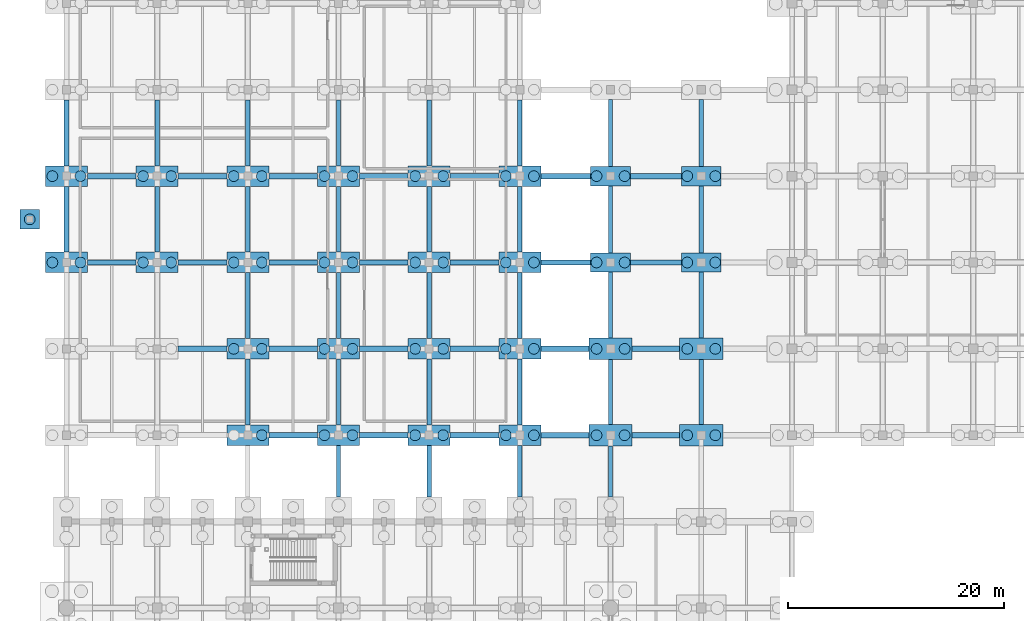
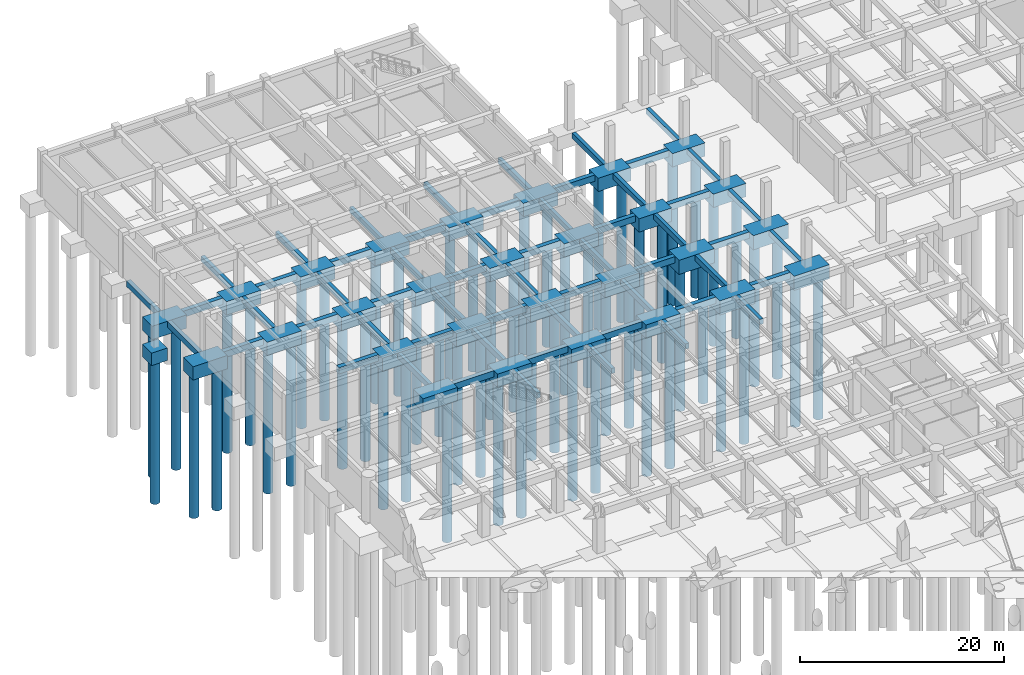
# One storey, part 6 of 56: 86 footings, 56 piles.
"""IFC4 building model written with IfcOpenShell, lengths in metres."""

from ifc_helpers import new_model, si_unit, direction, frame, origin, origin_2d, place, context, subcontext, project, spatial, rectangle, circle, extrude, material, material_profile, profile_set, type_object, element, save


model = new_model("IFC4")

# Units and contexts
model_context = context("Model", 3, precision=1e-05, world=origin(), true_north=direction((0.0, 1.0)))
body_context = subcontext(model_context, "Body", "Model", "MODEL_VIEW")
ifc_project = project(units=[si_unit("LENGTHUNIT", "METRE"), si_unit("AREAUNIT", "SQUARE_METRE"), si_unit("VOLUMEUNIT", "CUBIC_METRE"), si_unit("PLANEANGLEUNIT", "RADIAN"), si_unit("MASSUNIT", "GRAM", prefix="KILO")], contexts=[model_context])

# Site, building, storey
site_placement = place(None, origin())
site = spatial("IfcSite", under=ifc_project, at=site_placement, CompositionType="ELEMENT")
building_placement = place(site_placement, origin())
building = spatial("IfcBuilding", under=site, at=building_placement, Name="Naruveol Harbour Congress Hotel", CompositionType="ELEMENT")
storey_placement = place(building_placement, frame((0.0, 0.0, -5.39990234375)))
storey = spatial("IfcBuildingStorey", under=building, at=storey_placement, Name="B01", CompositionType="ELEMENT", Elevation=-5.39990234375)

# Piles
ifc_material_1 = material(Name="Concrete C40/50", Category="concrete")
ifc_material_profile_1 = material_profile(ifc_material_1, circle(Radius=0.5, at=origin_2d()), Name="BP-1000")
ifc_profile_set_1 = profile_set([ifc_material_profile_1], Name="Concrete C40/50")
pile_type = type_object("IfcPileType", Name="BORED ROCK SOCKETED PILE D1000", PredefinedType="BORED", material=ifc_profile_set_1)
pile_placement = place(storey_placement, frame((-3.39990234375, 84.0, -1.35009765625), z_axis=(0.0, 0.0, -1.0), x_axis=(1.0, 0.0, 0.0)))
element("IfcPile", 1, at=pile_placement, inside=storey, type_object=pile_type, Name="Bored pile BP-1000 #1 under FTG-CAP--034-0840", PredefinedType="BORED", context=body_context, shape_type="SweptSolid", body=[
    extrude(circle(Radius=0.5, at=origin_2d()), origin(), (0.0, 0.0, 1.0), 17.25),
])
for number, where, z_axis, x_axis, name in (
    (2, (-1.300048828125, 80.0, -1.4501953125), (0.0, 0.0, -1.0), (1.0, 0.0, 0.0), "Bored pile BP-1000 #1 under FTG-CAP-0000-0800"),
    (3, (1.300048828125, 80.0, -1.4501953125), (0.0, 0.0, -1.0), (1.0, 0.0, 0.0), "Bored pile BP-1000 #2 under FTG-CAP-0000-0800"),
    (4, (-1.300048828125, 88.0, -1.4501953125), (0.0, 0.0, -1.0), (1.0, 0.0, 0.0), "Bored pile BP-1000 #1 under FTG-CAP-0000-0880"),
    (5, (1.300048828125, 88.0, -1.4501953125), (0.0, 0.0, -1.0), (1.0, 0.0, 0.0), "Bored pile BP-1000 #2 under FTG-CAP-0000-0880"),
    (6, (7.10009765625, 80.0, -1.4501953125), (0.0, 0.0, -1.0), (1.0, 0.0, 0.0), "Bored pile BP-1000 #1 under FTG-CAP-0084-0800"),
    (7, (9.699951171875, 80.0, -1.4501953125), (0.0, 0.0, -1.0), (1.0, 0.0, 0.0), "Bored pile BP-1000 #2 under FTG-CAP-0084-0800"),
    (8, (7.10009765625, 88.0, -1.4501953125), (0.0, 0.0, -1.0), (1.0, 0.0, 0.0), "Bored pile BP-1000 #1 under FTG-CAP-0084-0880"),
    (9, (9.699951171875, 88.0, -1.4501953125), (0.0, 0.0, -1.0), (1.0, 0.0, 0.0), "Bored pile BP-1000 #2 under FTG-CAP-0084-0880"),
    (10, (18.10009765625, 64.0, -1.4501953125), (0.0, 0.0, -1.0), (1.0, 0.0, 0.0), "Bored pile BP-1000 #2 under FTG-CAP-0168-0640"),
    (11, (15.5, 72.0, -1.4501953125), (0.0, 0.0, -1.0), (1.0, 0.0, 0.0), "Bored pile BP-1000 #1 under FTG-CAP-0168-0720"),
    (12, (18.10009765625, 72.0, -1.4501953125), (0.0, 0.0, -1.0), (1.0, 0.0, 0.0), "Bored pile BP-1000 #2 under FTG-CAP-0168-0720"),
    (13, (15.5, 80.0, -1.4501953125), (0.0, 0.0, -1.0), (1.0, 0.0, 0.0), "Bored pile BP-1000 #1 under FTG-CAP-0168-0800"),
    (14, (18.10009765625, 80.0, -1.4501953125), (0.0, 0.0, -1.0), (1.0, 0.0, 0.0), "Bored pile BP-1000 #2 under FTG-CAP-0168-0800"),
    (15, (15.5, 88.0, -1.4501953125), (0.0, 0.0, -1.0), (1.0, 0.0, 0.0), "Bored pile BP-1000 #1 under FTG-CAP-0168-0880"),
    (16, (18.10009765625, 88.0, -1.4501953125), (0.0, 0.0, -1.0), (1.0, 0.0, 0.0), "Bored pile BP-1000 #2 under FTG-CAP-0168-0880"),
    (17, (23.89990234375, 64.0, -1.4501953125), (0.0, 0.0, -1.0), (1.0, 0.0, 0.0), "Bored pile BP-1000 #1 under FTG-CAP-0252-0640"),
    (18, (26.5, 64.0, -1.4501953125), (0.0, 0.0, -1.0), (1.0, 0.0, 0.0), "Bored pile BP-1000 #2 under FTG-CAP-0252-0640"),
    (19, (23.89990234375, 72.0, -1.4501953125), (0.0, 0.0, -1.0), (1.0, 0.0, 0.0), "Bored pile BP-1000 #1 under FTG-CAP-0252-0720"),
    (20, (26.5, 72.0, -1.4501953125), (0.0, 0.0, -1.0), (1.0, 0.0, 0.0), "Bored pile BP-1000 #2 under FTG-CAP-0252-0720"),
    (21, (23.89990234375, 80.0, -1.4501953125), (0.0, 0.0, -1.0), (1.0, 0.0, 0.0), "Bored pile BP-1000 #1 under FTG-CAP-0252-0800"),
    (22, (26.5, 80.0, -1.4501953125), (0.0, 0.0, -1.0), (1.0, 0.0, 0.0), "Bored pile BP-1000 #2 under FTG-CAP-0252-0800"),
    (23, (23.89990234375, 88.0, -1.4501953125), (0.0, 0.0, -1.0), (1.0, 0.0, 0.0), "Bored pile BP-1000 #1 under FTG-CAP-0252-0880"),
    (24, (26.5, 88.0, -1.4501953125), (0.0, 0.0, -1.0), (1.0, 0.0, 0.0), "Bored pile BP-1000 #2 under FTG-CAP-0252-0880"),
    (25, (32.300048828125, 64.0, -1.4501953125), (0.0, 0.0, -1.0), (1.0, 0.0, 0.0), "Bored pile BP-1000 #1 under FTG-CAP-0336-0640"),
    (26, (34.89990234375, 64.0, -1.4501953125), (0.0, 0.0, -1.0), (1.0, 0.0, 0.0), "Bored pile BP-1000 #2 under FTG-CAP-0336-0640"),
    (27, (32.300048828125, 72.0, -1.4501953125), (0.0, 0.0, -1.0), (1.0, 0.0, 0.0), "Bored pile BP-1000 #1 under FTG-CAP-0336-0720"),
    (28, (34.89990234375, 72.0, -1.4501953125), (0.0, 0.0, -1.0), (1.0, 0.0, 0.0), "Bored pile BP-1000 #2 under FTG-CAP-0336-0720"),
    (29, (32.300048828125, 80.0, -1.4501953125), (0.0, 0.0, -1.0), (1.0, 0.0, 0.0), "Bored pile BP-1000 #1 under FTG-CAP-0336-0800"),
    (30, (34.89990234375, 80.0, -1.4501953125), (0.0, 0.0, -1.0), (1.0, 0.0, 0.0), "Bored pile BP-1000 #2 under FTG-CAP-0336-0800"),
    (31, (32.300048828125, 88.0, -1.4501953125), (0.0, 0.0, -1.0), (1.0, 0.0, 0.0), "Bored pile BP-1000 #1 under FTG-CAP-0336-0880"),
    (32, (34.89990234375, 88.0, -1.4501953125), (0.0, 0.0, -1.0), (1.0, 0.0, 0.0), "Bored pile BP-1000 #2 under FTG-CAP-0336-0880"),
    (33, (40.699951171875, 64.0, -1.4501953125), (0.0, 0.0, -1.0), (1.0, 0.0, 0.0), "Bored pile BP-1000 #1 under FTG-CAP-0420-0640"),
    (34, (43.300048828125, 64.0, -1.4501953125), (0.0, 0.0, -1.0), (1.0, 0.0, 0.0), "Bored pile BP-1000 #2 under FTG-CAP-0420-0640"),
    (35, (40.699951171875, 72.0, -1.4501953125), (0.0, 0.0, -1.0), (1.0, 0.0, 0.0), "Bored pile BP-1000 #1 under FTG-CAP-0420-0720"),
    (36, (43.300048828125, 72.0, -1.4501953125), (0.0, 0.0, -1.0), (1.0, 0.0, 0.0), "Bored pile BP-1000 #2 under FTG-CAP-0420-0720"),
    (37, (40.699951171875, 80.0, -1.4501953125), (0.0, 0.0, -1.0), (1.0, 0.0, 0.0), "Bored pile BP-1000 #1 under FTG-CAP-0420-0800"),
    (38, (43.300048828125, 80.0, -1.4501953125), (0.0, 0.0, -1.0), (1.0, 0.0, 0.0), "Bored pile BP-1000 #2 under FTG-CAP-0420-0800"),
    (39, (40.699951171875, 88.0, -1.4501953125), (0.0, 0.0, -1.0), (1.0, 0.0, 0.0), "Bored pile BP-1000 #1 under FTG-CAP-0420-0880"),
    (40, (43.300048828125, 88.0, -1.4501953125), (0.0, 0.0, -1.0), (1.0, 0.0, 0.0), "Bored pile BP-1000 #2 under FTG-CAP-0420-0880"),
):
    element("IfcPile", number, at=place(storey_placement, frame(where, z_axis=z_axis, x_axis=x_axis)), inside=storey, type_object=pile_type, Name=name, PredefinedType="BORED", context=body_context, shape_type="SweptSolid", body=[
        extrude(circle(Radius=0.5, at=origin_2d()), origin(), (0.0, 0.0, 1.0), 17.14990234375),
    ])
for number, where, z_axis, x_axis, name in (
    (41, (49.10009765625, 64.0, -1.550048828125), (0.0, 0.0, -1.0), (1.0, 0.0, 0.0), "Bored pile BP-1000 #1 under FTG-CAP-0504-0640"),
    (42, (51.699951171875, 64.0, -1.550048828125), (0.0, 0.0, -1.0), (1.0, 0.0, 0.0), "Bored pile BP-1000 #2 under FTG-CAP-0504-0640"),
    (43, (49.10009765625, 72.0, -1.550048828125), (0.0, 0.0, -1.0), (1.0, 0.0, 0.0), "Bored pile BP-1000 #1 under FTG-CAP-0504-0720"),
    (44, (51.699951171875, 72.0, -1.550048828125), (0.0, 0.0, -1.0), (1.0, 0.0, 0.0), "Bored pile BP-1000 #2 under FTG-CAP-0504-0720"),
):
    element("IfcPile", number, at=place(storey_placement, frame(where, z_axis=z_axis, x_axis=x_axis)), inside=storey, type_object=pile_type, Name=name, PredefinedType="BORED", context=body_context, shape_type="SweptSolid", body=[
        extrude(circle(Radius=0.5, at=origin_2d()), origin(), (0.0, 0.0, 1.0), 17.050048828125),
    ])
for number, where, z_axis, x_axis, name in (
    (45, (49.10009765625, 80.0, -1.4501953125), (0.0, 0.0, -1.0), (1.0, 0.0, 0.0), "Bored pile BP-1000 #1 under FTG-CAP-0504-0800"),
    (46, (51.699951171875, 80.0, -1.4501953125), (0.0, 0.0, -1.0), (1.0, 0.0, 0.0), "Bored pile BP-1000 #2 under FTG-CAP-0504-0800"),
    (47, (49.10009765625, 88.0, -1.4501953125), (0.0, 0.0, -1.0), (1.0, 0.0, 0.0), "Bored pile BP-1000 #1 under FTG-CAP-0504-0880"),
    (48, (51.699951171875, 88.0, -1.4501953125), (0.0, 0.0, -1.0), (1.0, 0.0, 0.0), "Bored pile BP-1000 #2 under FTG-CAP-0504-0880"),
):
    element("IfcPile", number, at=place(storey_placement, frame(where, z_axis=z_axis, x_axis=x_axis)), inside=storey, type_object=pile_type, Name=name, PredefinedType="BORED", context=body_context, shape_type="SweptSolid", body=[
        extrude(circle(Radius=0.5, at=origin_2d()), origin(), (0.0, 0.0, 1.0), 17.14990234375),
    ])
for number, where, z_axis, x_axis, name in (
    (49, (57.5, 64.0, -1.550048828125), (0.0, 0.0, -1.0), (1.0, 0.0, 0.0), "Bored pile BP-1000 #1 under FTG-CAP-0588-0640"),
    (50, (60.10009765625, 64.0, -1.550048828125), (0.0, 0.0, -1.0), (1.0, 0.0, 0.0), "Bored pile BP-1000 #2 under FTG-CAP-0588-0640"),
    (51, (57.5, 72.0, -1.550048828125), (0.0, 0.0, -1.0), (1.0, 0.0, 0.0), "Bored pile BP-1000 #1 under FTG-CAP-0588-0720"),
    (52, (60.10009765625, 72.0, -1.550048828125), (0.0, 0.0, -1.0), (1.0, 0.0, 0.0), "Bored pile BP-1000 #2 under FTG-CAP-0588-0720"),
):
    element("IfcPile", number, at=place(storey_placement, frame(where, z_axis=z_axis, x_axis=x_axis)), inside=storey, type_object=pile_type, Name=name, PredefinedType="BORED", context=body_context, shape_type="SweptSolid", body=[
        extrude(circle(Radius=0.5, at=origin_2d()), origin(), (0.0, 0.0, 1.0), 17.050048828125),
    ])
for number, where, z_axis, x_axis, name in (
    (53, (57.5, 80.0, -1.4501953125), (0.0, 0.0, -1.0), (1.0, 0.0, 0.0), "Bored pile BP-1000 #1 under FTG-CAP-0588-0800"),
    (54, (60.10009765625, 80.0, -1.4501953125), (0.0, 0.0, -1.0), (1.0, 0.0, 0.0), "Bored pile BP-1000 #2 under FTG-CAP-0588-0800"),
    (55, (57.5, 88.0, -1.4501953125), (0.0, 0.0, -1.0), (1.0, 0.0, 0.0), "Bored pile BP-1000 #1 under FTG-CAP-0588-0880"),
    (56, (60.10009765625, 88.0, -1.4501953125), (0.0, 0.0, -1.0), (1.0, 0.0, 0.0), "Bored pile BP-1000 #2 under FTG-CAP-0588-0880"),
):
    element("IfcPile", number, at=place(storey_placement, frame(where, z_axis=z_axis, x_axis=x_axis)), inside=storey, type_object=pile_type, Name=name, PredefinedType="BORED", context=body_context, shape_type="SweptSolid", body=[
        extrude(circle(Radius=0.5, at=origin_2d()), origin(), (0.0, 0.0, 1.0), 17.14990234375),
    ])

# Footings
ifc_material_2 = material(Name="Concrete C40/50", Category="concrete")
footing_type_1 = type_object("IfcFootingType", Name="RC APRON EDGE PILE CAP 1800X1800X1500", PredefinedType="PILE_CAP", material=ifc_material_2)
footing_1_placement = place(storey_placement, frame((-3.39990234375, 84.0, -1.5), z_axis=(0.0, 0.0, 1.0), x_axis=(1.0, 0.0, 0.0)))
element("IfcFooting", 57, at=footing_1_placement, inside=storey, type_object=footing_type_1, Name="Pile cap PC9 at (-3.4, 84.0)", PredefinedType="PILE_CAP", context=body_context, shape_type="SweptSolid", body=[
    extrude(rectangle(XDim=1.800048828125, YDim=1.800048828125, at=origin_2d()), origin(), (0.0, 0.0, 1.0), 1.5),
])
ifc_material_3 = material(Name="Concrete C40/50", Category="concrete")
ifc_material_profile_2 = material_profile(ifc_material_3, rectangle(XDim=0.39990234375, YDim=0.64990234375, at=origin_2d()), Name="RCB-400x650")
ifc_profile_set_2 = profile_set([ifc_material_profile_2], Name="Concrete C40/50")
footing_type_2 = type_object("IfcFootingType", Name="RC COLONNADE TIE BEAM 400X650", PredefinedType="FOOTING_BEAM", material=ifc_profile_set_2)
for number, where, z_axis, x_axis, name in (
    (58, (8.39990234375, 80.949951171875, -0.3251953125), (0.0, 1.0, 0.0), (-1.0, 0.0, 0.0), "Foundation tie beam TB4 #250"),
    (59, (8.39990234375, 88.949951171875, -0.3251953125), (0.0, 1.0, 0.0), (-1.0, 0.0, 0.0), "Foundation tie beam TB4 #251"),
    (60, (16.800048828125, 64.949951171875, -0.3251953125), (0.0, 1.0, 0.0), (-1.0, 0.0, 0.0), "Foundation tie beam TB4 #262"),
    (61, (16.800048828125, 72.949951171875, -0.3251953125), (0.0, 1.0, 0.0), (-1.0, 0.0, 0.0), "Foundation tie beam TB4 #263"),
    (62, (16.800048828125, 80.949951171875, -0.3251953125), (0.0, 1.0, 0.0), (-1.0, 0.0, 0.0), "Foundation tie beam TB4 #264"),
    (63, (16.800048828125, 88.949951171875, -0.3251953125), (0.0, 1.0, 0.0), (-1.0, 0.0, 0.0), "Foundation tie beam TB4 #265"),
):
    element("IfcFooting", number, at=place(storey_placement, frame(where, z_axis=z_axis, x_axis=x_axis)), inside=storey, type_object=footing_type_2, Name=name, PredefinedType="FOOTING_BEAM", context=body_context, shape_type="SweptSolid", body=[
        extrude(rectangle(XDim=0.39990234375, YDim=0.64990234375, at=origin_2d()), origin(), (0.0, 0.0, 1.0), 6.10009765625),
    ])
footing_2_placement = place(storey_placement, frame((25.199951171875, 58.300048828125, -0.3251953125), z_axis=(0.0, 1.0, 0.0), x_axis=(-1.0, 0.0, 0.0)))
element("IfcFooting", 64, at=footing_2_placement, inside=storey, type_object=footing_type_2, Name="Foundation tie beam TB4 #275", PredefinedType="FOOTING_BEAM", context=body_context, shape_type="SweptSolid", body=[
    extrude(rectangle(XDim=0.39990234375, YDim=0.64990234375, at=origin_2d()), origin(), (0.0, 0.0, 1.0), 4.75),
])
for number, where, z_axis, x_axis, name in (
    (65, (25.199951171875, 64.949951171875, -0.3251953125), (0.0, 1.0, 0.0), (-1.0, 0.0, 0.0), "Foundation tie beam TB4 #276"),
    (66, (25.199951171875, 72.949951171875, -0.3251953125), (0.0, 1.0, 0.0), (-1.0, 0.0, 0.0), "Foundation tie beam TB4 #277"),
    (67, (25.199951171875, 80.949951171875, -0.3251953125), (0.0, 1.0, 0.0), (-1.0, 0.0, 0.0), "Foundation tie beam TB4 #278"),
    (68, (25.199951171875, 88.949951171875, -0.3251953125), (0.0, 1.0, 0.0), (-1.0, 0.0, 0.0), "Foundation tie beam TB4 #279"),
):
    element("IfcFooting", number, at=place(storey_placement, frame(where, z_axis=z_axis, x_axis=x_axis)), inside=storey, type_object=footing_type_2, Name=name, PredefinedType="FOOTING_BEAM", context=body_context, shape_type="SweptSolid", body=[
        extrude(rectangle(XDim=0.39990234375, YDim=0.64990234375, at=origin_2d()), origin(), (0.0, 0.0, 1.0), 6.10009765625),
    ])
footing_3_placement = place(storey_placement, frame((33.60009765625, 58.300048828125, -0.3251953125), z_axis=(0.0, 1.0, 0.0), x_axis=(-1.0, 0.0, 0.0)))
element("IfcFooting", 69, at=footing_3_placement, inside=storey, type_object=footing_type_2, Name="Foundation tie beam TB4 #289", PredefinedType="FOOTING_BEAM", context=body_context, shape_type="SweptSolid", body=[
    extrude(rectangle(XDim=0.39990234375, YDim=0.64990234375, at=origin_2d()), origin(), (0.0, 0.0, 1.0), 4.75),
])
for number, where, z_axis, x_axis, name in (
    (70, (33.60009765625, 64.949951171875, -0.3251953125), (0.0, 1.0, 0.0), (-1.0, 0.0, 0.0), "Foundation tie beam TB4 #290"),
    (71, (33.60009765625, 72.949951171875, -0.3251953125), (0.0, 1.0, 0.0), (-1.0, 0.0, 0.0), "Foundation tie beam TB4 #291"),
    (72, (33.60009765625, 80.949951171875, -0.3251953125), (0.0, 1.0, 0.0), (-1.0, 0.0, 0.0), "Foundation tie beam TB4 #292"),
    (73, (33.60009765625, 88.949951171875, -0.3251953125), (0.0, 1.0, 0.0), (-1.0, 0.0, 0.0), "Foundation tie beam TB4 #293"),
):
    element("IfcFooting", number, at=place(storey_placement, frame(where, z_axis=z_axis, x_axis=x_axis)), inside=storey, type_object=footing_type_2, Name=name, PredefinedType="FOOTING_BEAM", context=body_context, shape_type="SweptSolid", body=[
        extrude(rectangle(XDim=0.39990234375, YDim=0.64990234375, at=origin_2d()), origin(), (0.0, 0.0, 1.0), 6.10009765625),
    ])
footing_4_placement = place(storey_placement, frame((42.0, 58.300048828125, -0.3251953125), z_axis=(0.0, 1.0, 0.0), x_axis=(-1.0, 0.0, 0.0)))
element("IfcFooting", 74, at=footing_4_placement, inside=storey, type_object=footing_type_2, Name="Foundation tie beam TB4 #303", PredefinedType="FOOTING_BEAM", context=body_context, shape_type="SweptSolid", body=[
    extrude(rectangle(XDim=0.39990234375, YDim=0.64990234375, at=origin_2d()), origin(), (0.0, 0.0, 1.0), 4.75),
])
for number, where, z_axis, x_axis, name in (
    (75, (42.0, 64.949951171875, -0.3251953125), (0.0, 1.0, 0.0), (-1.0, 0.0, 0.0), "Foundation tie beam TB4 #304"),
    (76, (42.0, 72.949951171875, -0.3251953125), (0.0, 1.0, 0.0), (-1.0, 0.0, 0.0), "Foundation tie beam TB4 #305"),
    (77, (42.0, 80.949951171875, -0.3251953125), (0.0, 1.0, 0.0), (-1.0, 0.0, 0.0), "Foundation tie beam TB4 #306"),
    (78, (42.0, 88.949951171875, -0.3251953125), (0.0, 1.0, 0.0), (-1.0, 0.0, 0.0), "Foundation tie beam TB4 #307"),
):
    element("IfcFooting", number, at=place(storey_placement, frame(where, z_axis=z_axis, x_axis=x_axis)), inside=storey, type_object=footing_type_2, Name=name, PredefinedType="FOOTING_BEAM", context=body_context, shape_type="SweptSolid", body=[
        extrude(rectangle(XDim=0.39990234375, YDim=0.64990234375, at=origin_2d()), origin(), (0.0, 0.0, 1.0), 6.10009765625),
    ])
footing_5_placement = place(storey_placement, frame((50.39990234375, 58.300048828125, -0.3251953125), z_axis=(0.0, 1.0, 0.0), x_axis=(-1.0, 0.0, 0.0)))
element("IfcFooting", 79, at=footing_5_placement, inside=storey, type_object=footing_type_2, Name="Foundation tie beam TB4 #317", PredefinedType="FOOTING_BEAM", context=body_context, shape_type="SweptSolid", body=[
    extrude(rectangle(XDim=0.39990234375, YDim=0.64990234375, at=origin_2d()), origin(), (0.0, 0.0, 1.0), 4.699951171875),
])
footing_6_placement = place(storey_placement, frame((50.39990234375, 65.0, -0.3251953125), z_axis=(0.0, 1.0, 0.0), x_axis=(-1.0, 0.0, 0.0)))
element("IfcFooting", 80, at=footing_6_placement, inside=storey, type_object=footing_type_2, Name="Foundation tie beam TB4 #318", PredefinedType="FOOTING_BEAM", context=body_context, shape_type="SweptSolid", body=[
    extrude(rectangle(XDim=0.39990234375, YDim=0.64990234375, at=origin_2d()), origin(), (0.0, 0.0, 1.0), 6.0),
])
footing_7_placement = place(storey_placement, frame((50.39990234375, 73.0, -0.3251953125), z_axis=(0.0, 1.0, 0.0), x_axis=(-1.0, 0.0, 0.0)))
element("IfcFooting", 81, at=footing_7_placement, inside=storey, type_object=footing_type_2, Name="Foundation tie beam TB4 #319", PredefinedType="FOOTING_BEAM", context=body_context, shape_type="SweptSolid", body=[
    extrude(rectangle(XDim=0.39990234375, YDim=0.64990234375, at=origin_2d()), origin(), (0.0, 0.0, 1.0), 6.10009765625),
])
for number, where, z_axis, x_axis, name in (
    (82, (50.39990234375, 80.89990234375, -0.3251953125), (0.0, 1.0, 0.0), (-1.0, 0.0, 0.0), "Foundation tie beam TB4 #320"),
    (83, (50.39990234375, 88.89990234375, -0.3251953125), (0.0, 1.0, 0.0), (-1.0, 0.0, 0.0), "Foundation tie beam TB4 #321"),
):
    element("IfcFooting", number, at=place(storey_placement, frame(where, z_axis=z_axis, x_axis=x_axis)), inside=storey, type_object=footing_type_2, Name=name, PredefinedType="FOOTING_BEAM", context=body_context, shape_type="SweptSolid", body=[
        extrude(rectangle(XDim=0.39990234375, YDim=0.64990234375, at=origin_2d()), origin(), (0.0, 0.0, 1.0), 6.2001953125),
    ])
footing_8_placement = place(storey_placement, frame((58.800048828125, 65.0, -0.3251953125), z_axis=(0.0, 1.0, 0.0), x_axis=(-1.0, 0.0, 0.0)))
element("IfcFooting", 84, at=footing_8_placement, inside=storey, type_object=footing_type_2, Name="Foundation tie beam TB4 #330", PredefinedType="FOOTING_BEAM", context=body_context, shape_type="SweptSolid", body=[
    extrude(rectangle(XDim=0.39990234375, YDim=0.64990234375, at=origin_2d()), origin(), (0.0, 0.0, 1.0), 6.0),
])
footing_9_placement = place(storey_placement, frame((58.800048828125, 73.0, -0.3251953125), z_axis=(0.0, 1.0, 0.0), x_axis=(-1.0, 0.0, 0.0)))
element("IfcFooting", 85, at=footing_9_placement, inside=storey, type_object=footing_type_2, Name="Foundation tie beam TB4 #331", PredefinedType="FOOTING_BEAM", context=body_context, shape_type="SweptSolid", body=[
    extrude(rectangle(XDim=0.39990234375, YDim=0.64990234375, at=origin_2d()), origin(), (0.0, 0.0, 1.0), 6.10009765625),
])
for number, where, z_axis, x_axis, name in (
    (86, (58.800048828125, 80.89990234375, -0.3251953125), (0.0, 1.0, 0.0), (-1.0, 0.0, 0.0), "Foundation tie beam TB4 #332"),
    (87, (58.800048828125, 88.89990234375, -0.3251953125), (0.0, 1.0, 0.0), (-1.0, 0.0, 0.0), "Foundation tie beam TB4 #333"),
):
    element("IfcFooting", number, at=place(storey_placement, frame(where, z_axis=z_axis, x_axis=x_axis)), inside=storey, type_object=footing_type_2, Name=name, PredefinedType="FOOTING_BEAM", context=body_context, shape_type="SweptSolid", body=[
        extrude(rectangle(XDim=0.39990234375, YDim=0.64990234375, at=origin_2d()), origin(), (0.0, 0.0, 1.0), 6.2001953125),
    ])
ifc_material_4 = material(Name="Concrete C40/50", Category="concrete")
ifc_material_profile_3 = material_profile(ifc_material_4, rectangle(XDim=0.5, YDim=0.75, at=origin_2d()), Name="RCB-500x750")
ifc_profile_set_3 = profile_set([ifc_material_profile_3], Name="Concrete C40/50")
footing_type_3 = type_object("IfcFootingType", Name="RC FOUNDATION TIE BEAM 500X750", PredefinedType="FOOTING_BEAM", material=ifc_profile_set_3)
for number, where, z_axis, x_axis, name in (
    (88, (18.75, 64.0, -0.375), (1.0, 0.0, 0.0), (0.0, 1.0, 0.0), "Foundation tie beam TB2 #129"),
    (89, (27.14990234375, 64.0, -0.375), (1.0, 0.0, 0.0), (0.0, 1.0, 0.0), "Foundation tie beam TB2 #130"),
    (90, (35.550048828125, 64.0, -0.375), (1.0, 0.0, 0.0), (0.0, 1.0, 0.0), "Foundation tie beam TB2 #131"),
):
    element("IfcFooting", number, at=place(storey_placement, frame(where, z_axis=z_axis, x_axis=x_axis)), inside=storey, type_object=footing_type_3, Name=name, PredefinedType="FOOTING_BEAM", context=body_context, shape_type="SweptSolid", body=[
        extrude(rectangle(XDim=0.5, YDim=0.75, at=origin_2d()), origin(), (0.0, 0.0, 1.0), 4.5),
    ])
footing_10_placement = place(storey_placement, frame((43.949951171875, 64.0, -0.375), z_axis=(1.0, 0.0, 0.0), x_axis=(0.0, 1.0, 0.0)))
element("IfcFooting", 91, at=footing_10_placement, inside=storey, type_object=footing_type_3, Name="Foundation tie beam TB2 #132", PredefinedType="FOOTING_BEAM", context=body_context, shape_type="SweptSolid", body=[
    extrude(rectangle(XDim=0.5, YDim=0.75, at=origin_2d()), origin(), (0.0, 0.0, 1.0), 4.449951171875),
])
footing_11_placement = place(storey_placement, frame((52.39990234375, 64.0, -0.375), z_axis=(1.0, 0.0, 0.0), x_axis=(0.0, 1.0, 0.0)))
element("IfcFooting", 92, at=footing_11_placement, inside=storey, type_object=footing_type_3, Name="Foundation tie beam TB2 #133", PredefinedType="FOOTING_BEAM", context=body_context, shape_type="SweptSolid", body=[
    extrude(rectangle(XDim=0.5, YDim=0.75, at=origin_2d()), origin(), (0.0, 0.0, 1.0), 4.400146484375),
])
for number, where, z_axis, x_axis, name in (
    (93, (10.35009765625, 72.0, -0.375), (1.0, 0.0, 0.0), (0.0, 1.0, 0.0), "Foundation tie beam TB2 #143"),
    (94, (18.75, 72.0, -0.375), (1.0, 0.0, 0.0), (0.0, 1.0, 0.0), "Foundation tie beam TB2 #144"),
    (95, (27.14990234375, 72.0, -0.375), (1.0, 0.0, 0.0), (0.0, 1.0, 0.0), "Foundation tie beam TB2 #145"),
    (96, (35.550048828125, 72.0, -0.375), (1.0, 0.0, 0.0), (0.0, 1.0, 0.0), "Foundation tie beam TB2 #146"),
):
    element("IfcFooting", number, at=place(storey_placement, frame(where, z_axis=z_axis, x_axis=x_axis)), inside=storey, type_object=footing_type_3, Name=name, PredefinedType="FOOTING_BEAM", context=body_context, shape_type="SweptSolid", body=[
        extrude(rectangle(XDim=0.5, YDim=0.75, at=origin_2d()), origin(), (0.0, 0.0, 1.0), 4.5),
    ])
footing_12_placement = place(storey_placement, frame((43.949951171875, 72.0, -0.375), z_axis=(1.0, 0.0, 0.0), x_axis=(0.0, 1.0, 0.0)))
element("IfcFooting", 97, at=footing_12_placement, inside=storey, type_object=footing_type_3, Name="Foundation tie beam TB2 #147", PredefinedType="FOOTING_BEAM", context=body_context, shape_type="SweptSolid", body=[
    extrude(rectangle(XDim=0.5, YDim=0.75, at=origin_2d()), origin(), (0.0, 0.0, 1.0), 4.449951171875),
])
footing_13_placement = place(storey_placement, frame((52.39990234375, 72.0, -0.375), z_axis=(1.0, 0.0, 0.0), x_axis=(0.0, 1.0, 0.0)))
element("IfcFooting", 98, at=footing_13_placement, inside=storey, type_object=footing_type_3, Name="Foundation tie beam TB2 #148", PredefinedType="FOOTING_BEAM", context=body_context, shape_type="SweptSolid", body=[
    extrude(rectangle(XDim=0.5, YDim=0.75, at=origin_2d()), origin(), (0.0, 0.0, 1.0), 4.400146484375),
])
for number, where, z_axis, x_axis, name in (
    (99, (1.949951171875, 80.0, -0.375), (1.0, 0.0, 0.0), (0.0, 1.0, 0.0), "Foundation tie beam TB2 #157"),
    (100, (10.35009765625, 80.0, -0.375), (1.0, 0.0, 0.0), (0.0, 1.0, 0.0), "Foundation tie beam TB2 #158"),
    (101, (18.75, 80.0, -0.375), (1.0, 0.0, 0.0), (0.0, 1.0, 0.0), "Foundation tie beam TB2 #159"),
    (102, (27.14990234375, 80.0, -0.375), (1.0, 0.0, 0.0), (0.0, 1.0, 0.0), "Foundation tie beam TB2 #160"),
    (103, (35.550048828125, 80.0, -0.375), (1.0, 0.0, 0.0), (0.0, 1.0, 0.0), "Foundation tie beam TB2 #161"),
):
    element("IfcFooting", number, at=place(storey_placement, frame(where, z_axis=z_axis, x_axis=x_axis)), inside=storey, type_object=footing_type_3, Name=name, PredefinedType="FOOTING_BEAM", context=body_context, shape_type="SweptSolid", body=[
        extrude(rectangle(XDim=0.5, YDim=0.75, at=origin_2d()), origin(), (0.0, 0.0, 1.0), 4.5),
    ])
footing_14_placement = place(storey_placement, frame((43.949951171875, 80.0, -0.375), z_axis=(1.0, 0.0, 0.0), x_axis=(0.0, 1.0, 0.0)))
element("IfcFooting", 104, at=footing_14_placement, inside=storey, type_object=footing_type_3, Name="Foundation tie beam TB2 #162", PredefinedType="FOOTING_BEAM", context=body_context, shape_type="SweptSolid", body=[
    extrude(rectangle(XDim=0.5, YDim=0.75, at=origin_2d()), origin(), (0.0, 0.0, 1.0), 4.60009765625),
])
footing_15_placement = place(storey_placement, frame((52.25, 80.0, -0.375), z_axis=(1.0, 0.0, 0.0), x_axis=(0.0, 1.0, 0.0)))
element("IfcFooting", 105, at=footing_15_placement, inside=storey, type_object=footing_type_3, Name="Foundation tie beam TB2 #163", PredefinedType="FOOTING_BEAM", context=body_context, shape_type="SweptSolid", body=[
    extrude(rectangle(XDim=0.5, YDim=0.75, at=origin_2d()), origin(), (0.0, 0.0, 1.0), 4.699951171875),
])
for number, where, z_axis, x_axis, name in (
    (106, (1.949951171875, 88.0, -0.375), (1.0, 0.0, 0.0), (0.0, 1.0, 0.0), "Foundation tie beam TB2 #172"),
    (107, (10.35009765625, 88.0, -0.375), (1.0, 0.0, 0.0), (0.0, 1.0, 0.0), "Foundation tie beam TB2 #173"),
    (108, (18.75, 88.0, -0.375), (1.0, 0.0, 0.0), (0.0, 1.0, 0.0), "Foundation tie beam TB2 #174"),
    (109, (27.14990234375, 88.0, -0.375), (1.0, 0.0, 0.0), (0.0, 1.0, 0.0), "Foundation tie beam TB2 #175"),
    (110, (35.550048828125, 88.0, -0.375), (1.0, 0.0, 0.0), (0.0, 1.0, 0.0), "Foundation tie beam TB2 #176"),
):
    element("IfcFooting", number, at=place(storey_placement, frame(where, z_axis=z_axis, x_axis=x_axis)), inside=storey, type_object=footing_type_3, Name=name, PredefinedType="FOOTING_BEAM", context=body_context, shape_type="SweptSolid", body=[
        extrude(rectangle(XDim=0.5, YDim=0.75, at=origin_2d()), origin(), (0.0, 0.0, 1.0), 4.5),
    ])
footing_16_placement = place(storey_placement, frame((43.949951171875, 88.0, -0.375), z_axis=(1.0, 0.0, 0.0), x_axis=(0.0, 1.0, 0.0)))
element("IfcFooting", 111, at=footing_16_placement, inside=storey, type_object=footing_type_3, Name="Foundation tie beam TB2 #177", PredefinedType="FOOTING_BEAM", context=body_context, shape_type="SweptSolid", body=[
    extrude(rectangle(XDim=0.5, YDim=0.75, at=origin_2d()), origin(), (0.0, 0.0, 1.0), 4.60009765625),
])
footing_17_placement = place(storey_placement, frame((52.25, 88.0, -0.375), z_axis=(1.0, 0.0, 0.0), x_axis=(0.0, 1.0, 0.0)))
element("IfcFooting", 112, at=footing_17_placement, inside=storey, type_object=footing_type_3, Name="Foundation tie beam TB2 #178", PredefinedType="FOOTING_BEAM", context=body_context, shape_type="SweptSolid", body=[
    extrude(rectangle(XDim=0.5, YDim=0.75, at=origin_2d()), origin(), (0.0, 0.0, 1.0), 4.699951171875),
])
ifc_material_5 = material(Name="Concrete C40/50", Category="concrete")
footing_type_4 = type_object("IfcFootingType", Name="RC MARQUISE PILE CAP 3700X1800X1600", PredefinedType="PILE_CAP", material=ifc_material_5)
for number, where, z_axis, x_axis, name in (
    (113, (50.39990234375, 80.0, -1.60009765625), (0.0, 0.0, 1.0), (1.0, 0.0, 0.0), "Pile cap PC10 at (50.4, 80.0)"),
    (114, (50.39990234375, 88.0, -1.60009765625), (0.0, 0.0, 1.0), (1.0, 0.0, 0.0), "Pile cap PC10 at (50.4, 88.0)"),
    (115, (58.800048828125, 80.0, -1.60009765625), (0.0, 0.0, 1.0), (1.0, 0.0, 0.0), "Pile cap PC10 at (58.8, 80.0)"),
    (116, (58.800048828125, 88.0, -1.60009765625), (0.0, 0.0, 1.0), (1.0, 0.0, 0.0), "Pile cap PC10 at (58.8, 88.0)"),
):
    element("IfcFooting", number, at=place(storey_placement, frame(where, z_axis=z_axis, x_axis=x_axis)), inside=storey, type_object=footing_type_4, Name=name, PredefinedType="PILE_CAP", context=body_context, shape_type="SweptSolid", body=[
        extrude(rectangle(XDim=3.699951171875, YDim=1.800048828125, at=origin_2d()), origin(), (0.0, 0.0, 1.0), 1.60009765625),
    ])
ifc_material_6 = material(Name="Concrete C40/50", Category="concrete")
ifc_material_profile_4 = material_profile(ifc_material_6, rectangle(XDim=0.449951171875, YDim=0.699951171875, at=origin_2d()), Name="RCB-450x700")
ifc_profile_set_4 = profile_set([ifc_material_profile_4], Name="Concrete C40/50")
footing_type_5 = type_object("IfcFootingType", Name="RC PERIMETER GRADE BEAM 450X700", PredefinedType="FOOTING_BEAM", material=ifc_profile_set_4)
for number, where, z_axis, x_axis, name in (
    (117, (0.0, 80.949951171875, -0.35009765625), (0.0, 1.0, 0.0), (-1.0, 0.0, 0.0), "Foundation tie beam TB3 #236"),
    (118, (0.0, 88.949951171875, -0.35009765625), (0.0, 1.0, 0.0), (-1.0, 0.0, 0.0), "Foundation tie beam TB3 #237"),
):
    element("IfcFooting", number, at=place(storey_placement, frame(where, z_axis=z_axis, x_axis=x_axis)), inside=storey, type_object=footing_type_5, Name=name, PredefinedType="FOOTING_BEAM", context=body_context, shape_type="SweptSolid", body=[
        extrude(rectangle(XDim=0.449951171875, YDim=0.699951171875, at=origin_2d()), origin(), (0.0, 0.0, 1.0), 6.10009765625),
    ])
ifc_material_7 = material(Name="Concrete C40/50", Category="concrete")
footing_type_6 = type_object("IfcFootingType", Name="RC PODIUM PILE CAP 4000X2000X1700", PredefinedType="PILE_CAP", material=ifc_material_7)
for number, where, z_axis, x_axis, name in (
    (119, (50.39990234375, 64.0, -1.7001953125), (0.0, 0.0, 1.0), (1.0, 0.0, 0.0), "Pile cap PC6 at (50.4, 64.0)"),
    (120, (50.39990234375, 72.0, -1.7001953125), (0.0, 0.0, 1.0), (1.0, 0.0, 0.0), "Pile cap PC6 at (50.4, 72.0)"),
    (121, (58.800048828125, 64.0, -1.7001953125), (0.0, 0.0, 1.0), (1.0, 0.0, 0.0), "Pile cap PC6 at (58.8, 64.0)"),
    (122, (58.800048828125, 72.0, -1.7001953125), (0.0, 0.0, 1.0), (1.0, 0.0, 0.0), "Pile cap PC6 at (58.8, 72.0)"),
):
    element("IfcFooting", number, at=place(storey_placement, frame(where, z_axis=z_axis, x_axis=x_axis)), inside=storey, type_object=footing_type_6, Name=name, PredefinedType="PILE_CAP", context=body_context, shape_type="SweptSolid", body=[
        extrude(rectangle(XDim=4.0, YDim=2.0, at=origin_2d()), origin(), (0.0, 0.0, 1.0), 1.699951171875),
    ])
ifc_material_8 = material(Name="Concrete C40/50", Category="concrete")
footing_type_7 = type_object("IfcFootingType", Name="RC WING PILE CAP 3900X1900X1600", PredefinedType="PILE_CAP", material=ifc_material_8)
for number, where, z_axis, x_axis, name in (
    (123, (0.0, 80.0, -1.60009765625), (0.0, 0.0, 1.0), (1.0, 0.0, 0.0), "Pile cap PC7 at (0.0, 80.0)"),
    (124, (0.0, 88.0, -1.60009765625), (0.0, 0.0, 1.0), (1.0, 0.0, 0.0), "Pile cap PC7 at (0.0, 88.0)"),
    (125, (8.39990234375, 80.0, -1.60009765625), (0.0, 0.0, 1.0), (1.0, 0.0, 0.0), "Pile cap PC7 at (8.4, 80.0)"),
    (126, (8.39990234375, 88.0, -1.60009765625), (0.0, 0.0, 1.0), (1.0, 0.0, 0.0), "Pile cap PC7 at (8.4, 88.0)"),
    (127, (16.800048828125, 64.0, -1.60009765625), (0.0, 0.0, 1.0), (1.0, 0.0, 0.0), "Pile cap PC7 at (16.8, 64.0)"),
    (128, (16.800048828125, 72.0, -1.60009765625), (0.0, 0.0, 1.0), (1.0, 0.0, 0.0), "Pile cap PC7 at (16.8, 72.0)"),
    (129, (16.800048828125, 80.0, -1.60009765625), (0.0, 0.0, 1.0), (1.0, 0.0, 0.0), "Pile cap PC7 at (16.8, 80.0)"),
    (130, (16.800048828125, 88.0, -1.60009765625), (0.0, 0.0, 1.0), (1.0, 0.0, 0.0), "Pile cap PC7 at (16.8, 88.0)"),
    (131, (25.199951171875, 64.0, -1.60009765625), (0.0, 0.0, 1.0), (1.0, 0.0, 0.0), "Pile cap PC7 at (25.2, 64.0)"),
    (132, (25.199951171875, 72.0, -1.60009765625), (0.0, 0.0, 1.0), (1.0, 0.0, 0.0), "Pile cap PC7 at (25.2, 72.0)"),
    (133, (25.199951171875, 80.0, -1.60009765625), (0.0, 0.0, 1.0), (1.0, 0.0, 0.0), "Pile cap PC7 at (25.2, 80.0)"),
    (134, (25.199951171875, 88.0, -1.60009765625), (0.0, 0.0, 1.0), (1.0, 0.0, 0.0), "Pile cap PC7 at (25.2, 88.0)"),
    (135, (33.60009765625, 64.0, -1.60009765625), (0.0, 0.0, 1.0), (1.0, 0.0, 0.0), "Pile cap PC7 at (33.6, 64.0)"),
    (136, (33.60009765625, 72.0, -1.60009765625), (0.0, 0.0, 1.0), (1.0, 0.0, 0.0), "Pile cap PC7 at (33.6, 72.0)"),
    (137, (33.60009765625, 80.0, -1.60009765625), (0.0, 0.0, 1.0), (1.0, 0.0, 0.0), "Pile cap PC7 at (33.6, 80.0)"),
    (138, (33.60009765625, 88.0, -1.60009765625), (0.0, 0.0, 1.0), (1.0, 0.0, 0.0), "Pile cap PC7 at (33.6, 88.0)"),
    (139, (42.0, 64.0, -1.60009765625), (0.0, 0.0, 1.0), (1.0, 0.0, 0.0), "Pile cap PC7 at (42.0, 64.0)"),
    (140, (42.0, 72.0, -1.60009765625), (0.0, 0.0, 1.0), (1.0, 0.0, 0.0), "Pile cap PC7 at (42.0, 72.0)"),
    (141, (42.0, 80.0, -1.60009765625), (0.0, 0.0, 1.0), (1.0, 0.0, 0.0), "Pile cap PC7 at (42.0, 80.0)"),
    (142, (42.0, 88.0, -1.60009765625), (0.0, 0.0, 1.0), (1.0, 0.0, 0.0), "Pile cap PC7 at (42.0, 88.0)"),
):
    element("IfcFooting", number, at=place(storey_placement, frame(where, z_axis=z_axis, x_axis=x_axis)), inside=storey, type_object=footing_type_7, Name=name, PredefinedType="PILE_CAP", context=body_context, shape_type="SweptSolid", body=[
        extrude(rectangle(XDim=3.89990234375, YDim=1.89990234375, at=origin_2d()), origin(), (0.0, 0.0, 1.0), 1.60009765625),
    ])

save(model, "model.ifc")
